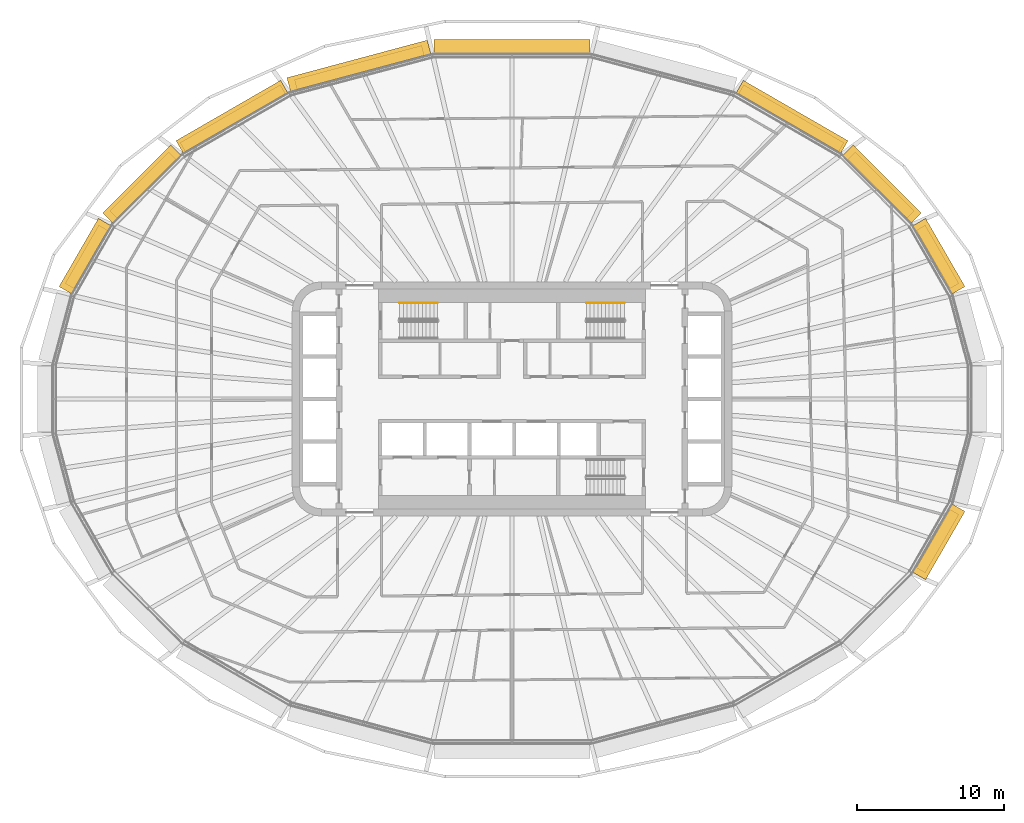
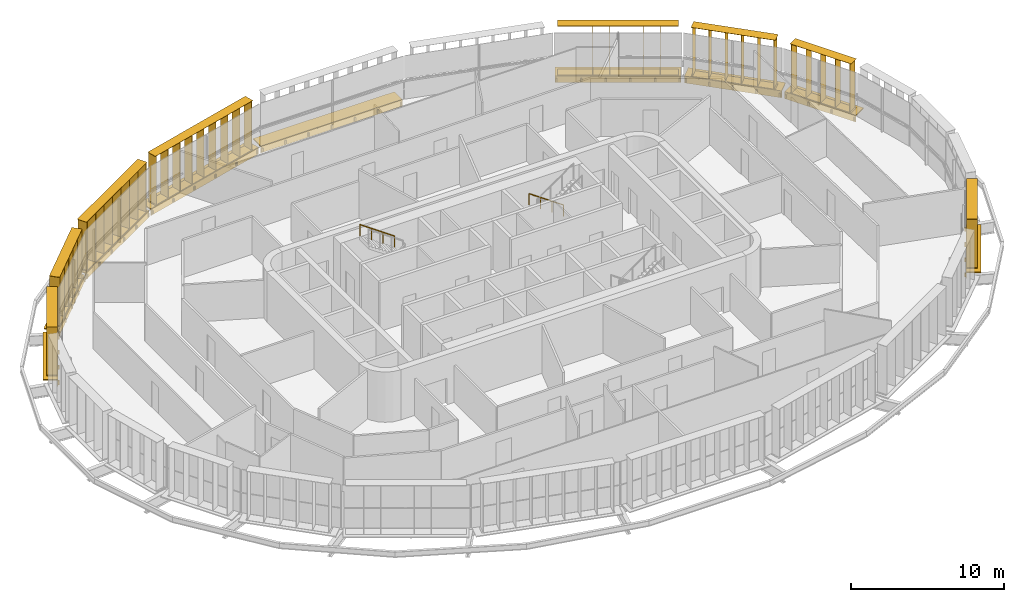
# One storey, part 22 of 23: 17 shading devices, 2 railings.
"""IFC4 building model written with IfcOpenShell, lengths in metres."""

from ifc_helpers import new_model, si_unit, direction, frame, origin, origin_2d, place, context, subcontext, project, spatial, rectangle, circle, extrude, material, type_object, element, save


model = new_model("IFC4")

# Units and contexts
model_context = context("Model", 3, precision=1e-05, world=origin(), true_north=direction((0.0, 1.0)))
body_context = subcontext(model_context, "Body", "Model", "MODEL_VIEW")
ifc_project = project(units=[si_unit("LENGTHUNIT", "METRE"), si_unit("AREAUNIT", "SQUARE_METRE"), si_unit("VOLUMEUNIT", "CUBIC_METRE"), si_unit("PLANEANGLEUNIT", "RADIAN"), si_unit("MASSUNIT", "GRAM", prefix="KILO")], contexts=[model_context])

# Site, building, storey
site_placement = place(None, origin())
site = spatial("IfcSite", under=ifc_project, at=site_placement, CompositionType="ELEMENT")
building_placement = place(site_placement, origin())
building = spatial("IfcBuilding", under=site, at=building_placement, Name="Sahrelin Media Tower", CompositionType="ELEMENT")
storey_placement = place(building_placement, frame((0.0, 0.0, 157.60009765625)))
storey = spatial("IfcBuildingStorey", under=building, at=storey_placement, Name="L32", CompositionType="ELEMENT", Elevation=157.60009765625)

# Shading devices
ifc_material_1 = material(Name="Champagne anodised aluminium 6063-T6", Category="aluminium")
shading_device_type_1 = type_object("IfcShadingDeviceType", Name="Fin cassette", PredefinedType="USERDEFINED", material=ifc_material_1)
placement_1 = place(storey_placement, frame((28.689208984375, 9.490966796875, 0.0), z_axis=(0.0, 0.0, 1.0), x_axis=(0.500011000363, -0.866019052629, 0.0)))
element("IfcShadingDevice", 1, at=placement_1, inside=storey, type_object=shading_device_type_1, Name="L32:FIN:L32-02", ObjectType="FIN", PredefinedType="USERDEFINED", context=body_context, shape_type="SweptSolid", body=[
    extrude(rectangle(XDim=4.60009765625, YDim=0.699951171875, at=origin_2d()), frame((0.0, 0.419921875, 0.0)), (0.0, 0.0, 1.0), 0.02001953125),
    extrude(rectangle(XDim=4.60009765625, YDim=0.699951171875, at=origin_2d()), frame((0.0, 0.419921875, 3.89990234375)), (0.0, 0.0, 1.0), 0.02001953125),
    extrude(rectangle(XDim=0.02001953125, YDim=0.699951171875, at=origin_2d()), frame((-2.199951171875, 0.419921875, 0.010009765625), z_axis=(0.0, 0.0, 1.0), x_axis=(1.0, 0.0, 0.0)), (0.0, 0.0, 1.0), 3.89990234375),
    extrude(rectangle(XDim=0.02001953125, YDim=0.699951171875, at=origin_2d()), frame((-1.10009765625, 0.419921875, 0.010009765625), z_axis=(0.0, 0.0, 1.0), x_axis=(1.0, 0.0, 0.0)), (0.0, 0.0, 1.0), 3.89990234375),
    extrude(rectangle(XDim=0.02001953125, YDim=0.699951171875, at=origin_2d()), frame((0.0, 0.419921875, 0.010009765625), z_axis=(0.0, 0.0, 1.0), x_axis=(1.0, 0.0, 0.0)), (0.0, 0.0, 1.0), 3.89990234375),
    extrude(rectangle(XDim=0.02001953125, YDim=0.699951171875, at=origin_2d()), frame((1.10009765625, 0.419921875, 0.010009765625), z_axis=(0.0, 0.0, 1.0), x_axis=(1.0, 0.0, 0.0)), (0.0, 0.0, 1.0), 3.89990234375),
    extrude(rectangle(XDim=0.02001953125, YDim=0.699951171875, at=origin_2d()), frame((2.199951171875, 0.419921875, 0.010009765625), z_axis=(0.0, 0.0, 1.0), x_axis=(1.0, 0.0, 0.0)), (0.0, 0.0, 1.0), 3.89990234375),
])
placement_2 = place(storey_placement, frame((24.900634765625, 14.30029296875, 0.0), z_axis=(0.0, 0.0, 1.0), x_axis=(0.707106781187, -0.707106781187, 0.0)))
element("IfcShadingDevice", 2, at=placement_2, inside=storey, type_object=shading_device_type_1, Name="L32:FIN:L32-03", ObjectType="FIN", PredefinedType="USERDEFINED", context=body_context, shape_type="SweptSolid", body=[
    extrude(rectangle(XDim=5.699951171875, YDim=0.699951171875, at=origin_2d()), frame((0.0, 0.419921875, 0.0)), (0.0, 0.0, 1.0), 0.02001953125),
    extrude(rectangle(XDim=5.699951171875, YDim=0.699951171875, at=origin_2d()), frame((0.0, 0.419921875, 3.89990234375)), (0.0, 0.0, 1.0), 0.02001953125),
    extrude(rectangle(XDim=0.02001953125, YDim=0.699951171875, at=origin_2d()), frame((-2.75, 0.419921875, 0.010009765625), z_axis=(0.0, 0.0, 1.0), x_axis=(1.0, 0.0, 0.0)), (0.0, 0.0, 1.0), 3.89990234375),
    extrude(rectangle(XDim=0.02001953125, YDim=0.699951171875, at=origin_2d()), frame((-1.64990234375, 0.419921875, 0.010009765625), z_axis=(0.0, 0.0, 1.0), x_axis=(1.0, 0.0, 0.0)), (0.0, 0.0, 1.0), 3.89990234375),
    extrude(rectangle(XDim=0.02001953125, YDim=0.699951171875, at=origin_2d()), frame((-0.550048828125, 0.419921875, 0.010009765625), z_axis=(0.0, 0.0, 1.0), x_axis=(1.0, 0.0, 0.0)), (0.0, 0.0, 1.0), 3.89990234375),
    extrude(rectangle(XDim=0.02001953125, YDim=0.699951171875, at=origin_2d()), frame((0.550048828125, 0.419921875, 0.010009765625), z_axis=(0.0, 0.0, 1.0), x_axis=(1.0, 0.0, 0.0)), (0.0, 0.0, 1.0), 3.89990234375),
    extrude(rectangle(XDim=0.02001953125, YDim=0.699951171875, at=origin_2d()), frame((1.64990234375, 0.419921875, 0.010009765625), z_axis=(0.0, 0.0, 1.0), x_axis=(1.0, 0.0, 0.0)), (0.0, 0.0, 1.0), 3.89990234375),
    extrude(rectangle(XDim=0.02001953125, YDim=0.699951171875, at=origin_2d()), frame((2.75, 0.419921875, 0.010009765625), z_axis=(0.0, 0.0, 1.0), x_axis=(1.0, 0.0, 0.0)), (0.0, 0.0, 1.0), 3.89990234375),
])
placement_3 = place(storey_placement, frame((18.85107421875, 18.804931640625, 0.0), z_axis=(0.0, 0.0, 1.0), x_axis=(0.866019052629, -0.500011000363, 0.0)))
element("IfcShadingDevice", 3, at=placement_3, inside=storey, type_object=shading_device_type_1, Name="L32:FIN:L32-04", ObjectType="FIN", PredefinedType="USERDEFINED", context=body_context, shape_type="SweptSolid", body=[
    extrude(rectangle(XDim=7.89990234375, YDim=0.699951171875, at=origin_2d()), frame((0.0, 0.419921875, 0.0)), (0.0, 0.0, 1.0), 0.02001953125),
    extrude(rectangle(XDim=7.89990234375, YDim=0.699951171875, at=origin_2d()), frame((0.0, 0.419921875, 3.89990234375)), (0.0, 0.0, 1.0), 0.02001953125),
    extrude(rectangle(XDim=0.02001953125, YDim=0.699951171875, at=origin_2d()), frame((-3.85009765625, 0.419921875, 0.010009765625), z_axis=(0.0, 0.0, 1.0), x_axis=(1.0, 0.0, 0.0)), (0.0, 0.0, 1.0), 3.89990234375),
    extrude(rectangle(XDim=0.02001953125, YDim=0.699951171875, at=origin_2d()), frame((-2.75, 0.419921875, 0.010009765625), z_axis=(0.0, 0.0, 1.0), x_axis=(1.0, 0.0, 0.0)), (0.0, 0.0, 1.0), 3.89990234375),
    extrude(rectangle(XDim=0.02001953125, YDim=0.699951171875, at=origin_2d()), frame((-1.64990234375, 0.419921875, 0.010009765625), z_axis=(0.0, 0.0, 1.0), x_axis=(1.0, 0.0, 0.0)), (0.0, 0.0, 1.0), 3.89990234375),
    extrude(rectangle(XDim=0.02001953125, YDim=0.699951171875, at=origin_2d()), frame((-0.550048828125, 0.419921875, 0.010009765625), z_axis=(0.0, 0.0, 1.0), x_axis=(1.0, 0.0, 0.0)), (0.0, 0.0, 1.0), 3.89990234375),
    extrude(rectangle(XDim=0.02001953125, YDim=0.699951171875, at=origin_2d()), frame((0.550048828125, 0.419921875, 0.010009765625), z_axis=(0.0, 0.0, 1.0), x_axis=(1.0, 0.0, 0.0)), (0.0, 0.0, 1.0), 3.89990234375),
    extrude(rectangle(XDim=0.02001953125, YDim=0.699951171875, at=origin_2d()), frame((1.64990234375, 0.419921875, 0.010009765625), z_axis=(0.0, 0.0, 1.0), x_axis=(1.0, 0.0, 0.0)), (0.0, 0.0, 1.0), 3.89990234375),
    extrude(rectangle(XDim=0.02001953125, YDim=0.699951171875, at=origin_2d()), frame((2.75, 0.419921875, 0.010009765625), z_axis=(0.0, 0.0, 1.0), x_axis=(1.0, 0.0, 0.0)), (0.0, 0.0, 1.0), 3.89990234375),
    extrude(rectangle(XDim=0.02001953125, YDim=0.699951171875, at=origin_2d()), frame((3.85009765625, 0.419921875, 0.010009765625), z_axis=(0.0, 0.0, 1.0), x_axis=(1.0, 0.0, 0.0)), (0.0, 0.0, 1.0), 3.89990234375),
])
placement_4 = place(storey_placement, frame((-10.312255859375, 22.2236328125, 0.0), z_axis=(0.0, 0.0, 1.0), x_axis=(0.965928857556, 0.258807731996, 0.0)))
element("IfcShadingDevice", 4, at=placement_4, inside=storey, type_object=shading_device_type_1, Name="L32:FIN:L32-07", ObjectType="FIN", PredefinedType="USERDEFINED", context=body_context, shape_type="SweptSolid", body=[
    extrude(rectangle(XDim=9.0, YDim=0.699951171875, at=origin_2d()), frame((0.0, 0.419921875, 0.0)), (0.0, 0.0, 1.0), 0.02001953125),
    extrude(rectangle(XDim=9.0, YDim=0.699951171875, at=origin_2d()), frame((0.0, 0.419921875, 3.89990234375)), (0.0, 0.0, 1.0), 0.02001953125),
    extrude(rectangle(XDim=0.02001953125, YDim=0.699951171875, at=origin_2d()), frame((-4.39990234375, 0.419921875, 0.010009765625), z_axis=(0.0, 0.0, 1.0), x_axis=(1.0, 0.0, 0.0)), (0.0, 0.0, 1.0), 3.89990234375),
    extrude(rectangle(XDim=0.02001953125, YDim=0.699951171875, at=origin_2d()), frame((-3.300048828125, 0.419921875, 0.010009765625), z_axis=(0.0, 0.0, 1.0), x_axis=(1.0, 0.0, 0.0)), (0.0, 0.0, 1.0), 3.89990234375),
    extrude(rectangle(XDim=0.02001953125, YDim=0.699951171875, at=origin_2d()), frame((-2.199951171875, 0.419921875, 0.010009765625), z_axis=(0.0, 0.0, 1.0), x_axis=(1.0, 0.0, 0.0)), (0.0, 0.0, 1.0), 3.89990234375),
    extrude(rectangle(XDim=0.02001953125, YDim=0.699951171875, at=origin_2d()), frame((-1.10009765625, 0.419921875, 0.010009765625), z_axis=(0.0, 0.0, 1.0), x_axis=(1.0, 0.0, 0.0)), (0.0, 0.0, 1.0), 3.89990234375),
    extrude(rectangle(XDim=0.02001953125, YDim=0.699951171875, at=origin_2d()), frame((0.0, 0.419921875, 0.010009765625), z_axis=(0.0, 0.0, 1.0), x_axis=(1.0, 0.0, 0.0)), (0.0, 0.0, 1.0), 3.89990234375),
    extrude(rectangle(XDim=0.02001953125, YDim=0.699951171875, at=origin_2d()), frame((1.10009765625, 0.419921875, 0.010009765625), z_axis=(0.0, 0.0, 1.0), x_axis=(1.0, 0.0, 0.0)), (0.0, 0.0, 1.0), 3.89990234375),
    extrude(rectangle(XDim=0.02001953125, YDim=0.699951171875, at=origin_2d()), frame((2.199951171875, 0.419921875, 0.010009765625), z_axis=(0.0, 0.0, 1.0), x_axis=(1.0, 0.0, 0.0)), (0.0, 0.0, 1.0), 3.89990234375),
    extrude(rectangle(XDim=0.02001953125, YDim=0.699951171875, at=origin_2d()), frame((3.300048828125, 0.419921875, 0.010009765625), z_axis=(0.0, 0.0, 1.0), x_axis=(1.0, 0.0, 0.0)), (0.0, 0.0, 1.0), 3.89990234375),
    extrude(rectangle(XDim=0.02001953125, YDim=0.699951171875, at=origin_2d()), frame((4.39990234375, 0.419921875, 0.010009765625), z_axis=(0.0, 0.0, 1.0), x_axis=(1.0, 0.0, 0.0)), (0.0, 0.0, 1.0), 3.89990234375),
])
placement_5 = place(storey_placement, frame((-18.85107421875, 18.804931640625, 0.0), z_axis=(0.0, 0.0, 1.0), x_axis=(0.866019052629, 0.500011000363, 0.0)))
element("IfcShadingDevice", 5, at=placement_5, inside=storey, type_object=shading_device_type_1, Name="L32:FIN:L32-08", ObjectType="FIN", PredefinedType="USERDEFINED", context=body_context, shape_type="SweptSolid", body=[
    extrude(rectangle(XDim=7.89990234375, YDim=0.699951171875, at=origin_2d()), frame((0.0, 0.419921875, 0.0)), (0.0, 0.0, 1.0), 0.02001953125),
    extrude(rectangle(XDim=7.89990234375, YDim=0.699951171875, at=origin_2d()), frame((0.0, 0.419921875, 3.89990234375)), (0.0, 0.0, 1.0), 0.02001953125),
    extrude(rectangle(XDim=0.02001953125, YDim=0.699951171875, at=origin_2d()), frame((-3.85009765625, 0.419921875, 0.010009765625), z_axis=(0.0, 0.0, 1.0), x_axis=(1.0, 0.0, 0.0)), (0.0, 0.0, 1.0), 3.89990234375),
    extrude(rectangle(XDim=0.02001953125, YDim=0.699951171875, at=origin_2d()), frame((-2.75, 0.419921875, 0.010009765625), z_axis=(0.0, 0.0, 1.0), x_axis=(1.0, 0.0, 0.0)), (0.0, 0.0, 1.0), 3.89990234375),
    extrude(rectangle(XDim=0.02001953125, YDim=0.699951171875, at=origin_2d()), frame((-1.64990234375, 0.419921875, 0.010009765625), z_axis=(0.0, 0.0, 1.0), x_axis=(1.0, 0.0, 0.0)), (0.0, 0.0, 1.0), 3.89990234375),
    extrude(rectangle(XDim=0.02001953125, YDim=0.699951171875, at=origin_2d()), frame((-0.550048828125, 0.419921875, 0.010009765625), z_axis=(0.0, 0.0, 1.0), x_axis=(1.0, 0.0, 0.0)), (0.0, 0.0, 1.0), 3.89990234375),
    extrude(rectangle(XDim=0.02001953125, YDim=0.699951171875, at=origin_2d()), frame((0.550048828125, 0.419921875, 0.010009765625), z_axis=(0.0, 0.0, 1.0), x_axis=(1.0, 0.0, 0.0)), (0.0, 0.0, 1.0), 3.89990234375),
    extrude(rectangle(XDim=0.02001953125, YDim=0.699951171875, at=origin_2d()), frame((1.64990234375, 0.419921875, 0.010009765625), z_axis=(0.0, 0.0, 1.0), x_axis=(1.0, 0.0, 0.0)), (0.0, 0.0, 1.0), 3.89990234375),
    extrude(rectangle(XDim=0.02001953125, YDim=0.699951171875, at=origin_2d()), frame((2.75, 0.419921875, 0.010009765625), z_axis=(0.0, 0.0, 1.0), x_axis=(1.0, 0.0, 0.0)), (0.0, 0.0, 1.0), 3.89990234375),
    extrude(rectangle(XDim=0.02001953125, YDim=0.699951171875, at=origin_2d()), frame((3.85009765625, 0.419921875, 0.010009765625), z_axis=(0.0, 0.0, 1.0), x_axis=(1.0, 0.0, 0.0)), (0.0, 0.0, 1.0), 3.89990234375),
])
placement_6 = place(storey_placement, frame((-24.900390625, 14.300048828125, 0.0), z_axis=(0.0, 0.0, 1.0), x_axis=(0.707106781187, 0.707106781187, 0.0)))
element("IfcShadingDevice", 6, at=placement_6, inside=storey, type_object=shading_device_type_1, Name="L32:FIN:L32-09", ObjectType="FIN", PredefinedType="USERDEFINED", context=body_context, shape_type="SweptSolid", body=[
    extrude(rectangle(XDim=5.699951171875, YDim=0.699951171875, at=origin_2d()), frame((0.0, 0.419921875, 0.0)), (0.0, 0.0, 1.0), 0.02001953125),
    extrude(rectangle(XDim=5.699951171875, YDim=0.699951171875, at=origin_2d()), frame((0.0, 0.419921875, 3.89990234375)), (0.0, 0.0, 1.0), 0.02001953125),
    extrude(rectangle(XDim=0.02001953125, YDim=0.699951171875, at=origin_2d()), frame((-2.75, 0.419921875, 0.010009765625), z_axis=(0.0, 0.0, 1.0), x_axis=(1.0, 0.0, 0.0)), (0.0, 0.0, 1.0), 3.89990234375),
    extrude(rectangle(XDim=0.02001953125, YDim=0.699951171875, at=origin_2d()), frame((-1.64990234375, 0.419921875, 0.010009765625), z_axis=(0.0, 0.0, 1.0), x_axis=(1.0, 0.0, 0.0)), (0.0, 0.0, 1.0), 3.89990234375),
    extrude(rectangle(XDim=0.02001953125, YDim=0.699951171875, at=origin_2d()), frame((-0.550048828125, 0.419921875, 0.010009765625), z_axis=(0.0, 0.0, 1.0), x_axis=(1.0, 0.0, 0.0)), (0.0, 0.0, 1.0), 3.89990234375),
    extrude(rectangle(XDim=0.02001953125, YDim=0.699951171875, at=origin_2d()), frame((0.550048828125, 0.419921875, 0.010009765625), z_axis=(0.0, 0.0, 1.0), x_axis=(1.0, 0.0, 0.0)), (0.0, 0.0, 1.0), 3.89990234375),
    extrude(rectangle(XDim=0.02001953125, YDim=0.699951171875, at=origin_2d()), frame((1.64990234375, 0.419921875, 0.010009765625), z_axis=(0.0, 0.0, 1.0), x_axis=(1.0, 0.0, 0.0)), (0.0, 0.0, 1.0), 3.89990234375),
    extrude(rectangle(XDim=0.02001953125, YDim=0.699951171875, at=origin_2d()), frame((2.75, 0.419921875, 0.010009765625), z_axis=(0.0, 0.0, 1.0), x_axis=(1.0, 0.0, 0.0)), (0.0, 0.0, 1.0), 3.89990234375),
])
placement_7 = place(storey_placement, frame((-28.689208984375, 9.490966796875, 0.0), z_axis=(0.0, 0.0, 1.0), x_axis=(0.500011000363, 0.866019052629, 0.0)))
element("IfcShadingDevice", 7, at=placement_7, inside=storey, type_object=shading_device_type_1, Name="L32:FIN:L32-10", ObjectType="FIN", PredefinedType="USERDEFINED", context=body_context, shape_type="SweptSolid", body=[
    extrude(rectangle(XDim=4.60009765625, YDim=0.699951171875, at=origin_2d()), frame((0.0, 0.419921875, 0.0)), (0.0, 0.0, 1.0), 0.02001953125),
    extrude(rectangle(XDim=4.60009765625, YDim=0.699951171875, at=origin_2d()), frame((0.0, 0.419921875, 3.89990234375)), (0.0, 0.0, 1.0), 0.02001953125),
    extrude(rectangle(XDim=0.02001953125, YDim=0.699951171875, at=origin_2d()), frame((-2.199951171875, 0.419921875, 0.010009765625), z_axis=(0.0, 0.0, 1.0), x_axis=(1.0, 0.0, 0.0)), (0.0, 0.0, 1.0), 3.89990234375),
    extrude(rectangle(XDim=0.02001953125, YDim=0.699951171875, at=origin_2d()), frame((-1.10009765625, 0.419921875, 0.010009765625), z_axis=(0.0, 0.0, 1.0), x_axis=(1.0, 0.0, 0.0)), (0.0, 0.0, 1.0), 3.89990234375),
    extrude(rectangle(XDim=0.02001953125, YDim=0.699951171875, at=origin_2d()), frame((0.0, 0.419921875, 0.010009765625), z_axis=(0.0, 0.0, 1.0), x_axis=(1.0, 0.0, 0.0)), (0.0, 0.0, 1.0), 3.89990234375),
    extrude(rectangle(XDim=0.02001953125, YDim=0.699951171875, at=origin_2d()), frame((1.10009765625, 0.419921875, 0.010009765625), z_axis=(0.0, 0.0, 1.0), x_axis=(1.0, 0.0, 0.0)), (0.0, 0.0, 1.0), 3.89990234375),
    extrude(rectangle(XDim=0.02001953125, YDim=0.699951171875, at=origin_2d()), frame((2.199951171875, 0.419921875, 0.010009765625), z_axis=(0.0, 0.0, 1.0), x_axis=(1.0, 0.0, 0.0)), (0.0, 0.0, 1.0), 3.89990234375),
])
placement_8 = place(storey_placement, frame((28.689208984375, -9.490966796875, 0.0), z_axis=(0.0, 0.0, 1.0), x_axis=(-0.500011000363, -0.866019052629, 0.0)))
element("IfcShadingDevice", 8, at=placement_8, inside=storey, type_object=shading_device_type_1, Name="L32:FIN:L32-22", ObjectType="FIN", PredefinedType="USERDEFINED", context=body_context, shape_type="SweptSolid", body=[
    extrude(rectangle(XDim=4.60009765625, YDim=0.699951171875, at=origin_2d()), frame((0.0, 0.419921875, 0.0)), (0.0, 0.0, 1.0), 0.02001953125),
    extrude(rectangle(XDim=4.60009765625, YDim=0.699951171875, at=origin_2d()), frame((0.0, 0.419921875, 3.89990234375)), (0.0, 0.0, 1.0), 0.02001953125),
    extrude(rectangle(XDim=0.02001953125, YDim=0.699951171875, at=origin_2d()), frame((-2.199951171875, 0.419921875, 0.010009765625), z_axis=(0.0, 0.0, 1.0), x_axis=(1.0, 0.0, 0.0)), (0.0, 0.0, 1.0), 3.89990234375),
    extrude(rectangle(XDim=0.02001953125, YDim=0.699951171875, at=origin_2d()), frame((-1.10009765625, 0.419921875, 0.010009765625), z_axis=(0.0, 0.0, 1.0), x_axis=(1.0, 0.0, 0.0)), (0.0, 0.0, 1.0), 3.89990234375),
    extrude(rectangle(XDim=0.02001953125, YDim=0.699951171875, at=origin_2d()), frame((0.0, 0.419921875, 0.010009765625), z_axis=(0.0, 0.0, 1.0), x_axis=(1.0, 0.0, 0.0)), (0.0, 0.0, 1.0), 3.89990234375),
    extrude(rectangle(XDim=0.02001953125, YDim=0.699951171875, at=origin_2d()), frame((1.10009765625, 0.419921875, 0.010009765625), z_axis=(0.0, 0.0, 1.0), x_axis=(1.0, 0.0, 0.0)), (0.0, 0.0, 1.0), 3.89990234375),
    extrude(rectangle(XDim=0.02001953125, YDim=0.699951171875, at=origin_2d()), frame((2.199951171875, 0.419921875, 0.010009765625), z_axis=(0.0, 0.0, 1.0), x_axis=(1.0, 0.0, 0.0)), (0.0, 0.0, 1.0), 3.89990234375),
])

# Railings
ifc_material_2 = material(Name="Steel S355", Category="steel")
railing_type = type_object("IfcRailingType", Name="Stair handrail 900", PredefinedType="HANDRAIL", material=ifc_material_2)
for number, where, name in (
    (9, (-5.074951171875, 6.550048828125, 2.181640625), "L32 ST1 stair handrail 2"),
    (10, (7.675048828125, 6.550048828125, 0.181640625), "L32 ST3 stair handrail 1"),
):
    element("IfcRailing", number, at=place(storey_placement, frame(where)), inside=storey, type_object=railing_type, Name=name, PredefinedType="HANDRAIL", context=body_context, shape_type="SweptSolid", body=[
        extrude(circle(Radius=0.02392578125, at=origin_2d()), frame((0.0, 0.0, 0.8759765625), z_axis=(-0.819484887739, 0.0, 0.573100792852), x_axis=(0.0, -1.0, 0.0)), (0.0, 0.0, 1.0), 3.1728515625),
        extrude(circle(Radius=0.02099609375, at=origin_2d()), origin(), (0.0, 0.0, 1.0), 0.851806640625),
        extrude(circle(Radius=0.02099609375, at=origin_2d()), frame((-0.86669921875, 0.0, 0.606201171875)), (0.0, 0.0, 1.0), 0.851806640625),
        extrude(circle(Radius=0.02099609375, at=origin_2d()), frame((-1.7333984375, 0.0, 1.212158203125)), (0.0, 0.0, 1.0), 0.851806640625),
        extrude(circle(Radius=0.02099609375, at=origin_2d()), frame((-2.60009765625, 0.0, 1.818359375)), (0.0, 0.0, 1.0), 0.851806640625),
    ])

# Shading devices
shading_device_type_2 = type_object("IfcShadingDeviceType", Name="Sunshade band", PredefinedType="USERDEFINED", material=ifc_material_1)
element("IfcShadingDevice", 11, at=placement_1, inside=storey, type_object=shading_device_type_2, Name="L32:SUN:L32-02", ObjectType="SUNSHADE", PredefinedType="USERDEFINED", context=body_context, shape_type="SweptSolid", body=[
    extrude(rectangle(XDim=5.375732421875, YDim=0.050048828125, at=origin_2d()), frame((0.0, 0.044921875, -0.55126953125)), (0.0, 0.0, 1.0), 0.471435546875),
    extrude(rectangle(XDim=5.375732421875, YDim=1.0, at=origin_2d()), frame((0.0, 0.52001953125, -0.080078125)), (0.0, 0.0, 1.0), 0.080078125),
    extrude(rectangle(XDim=0.10009765625, YDim=0.074951171875, at=origin_2d()), frame((-2.587890625, -0.017578125, -0.47021484375)), (0.0, 0.0, 1.0), 0.300048828125),
    extrude(rectangle(XDim=0.10009765625, YDim=0.074951171875, at=origin_2d()), frame((-0.862548828125, -0.017578125, -0.47021484375)), (0.0, 0.0, 1.0), 0.300048828125),
    extrude(rectangle(XDim=0.10009765625, YDim=0.074951171875, at=origin_2d()), frame((0.862548828125, -0.017578125, -0.47021484375)), (0.0, 0.0, 1.0), 0.300048828125),
    extrude(rectangle(XDim=0.10009765625, YDim=0.074951171875, at=origin_2d()), frame((2.587890625, -0.017578125, -0.47021484375)), (0.0, 0.0, 1.0), 0.300048828125),
])
element("IfcShadingDevice", 12, at=placement_2, inside=storey, type_object=shading_device_type_2, Name="L32:SUN:L32-03", ObjectType="SUNSHADE", PredefinedType="USERDEFINED", context=body_context, shape_type="SweptSolid", body=[
    extrude(rectangle(XDim=6.573486328125, YDim=0.050048828125, at=origin_2d()), frame((0.0, 0.044921875, -0.55126953125)), (0.0, 0.0, 1.0), 0.471435546875),
    extrude(rectangle(XDim=6.573486328125, YDim=1.0, at=origin_2d()), frame((0.0, 0.52001953125, -0.080078125)), (0.0, 0.0, 1.0), 0.080078125),
    extrude(rectangle(XDim=0.10009765625, YDim=0.074951171875, at=origin_2d()), frame((-3.186767578125, -0.017578125, -0.47021484375)), (0.0, 0.0, 1.0), 0.300048828125),
    extrude(rectangle(XDim=0.10009765625, YDim=0.074951171875, at=origin_2d()), frame((-1.59326171875, -0.017578125, -0.47021484375)), (0.0, 0.0, 1.0), 0.300048828125),
    extrude(rectangle(XDim=0.10009765625, YDim=0.074951171875, at=origin_2d()), frame((0.0, -0.017578125, -0.47021484375)), (0.0, 0.0, 1.0), 0.300048828125),
    extrude(rectangle(XDim=0.10009765625, YDim=0.074951171875, at=origin_2d()), frame((1.59326171875, -0.017578125, -0.47021484375)), (0.0, 0.0, 1.0), 0.300048828125),
    extrude(rectangle(XDim=0.10009765625, YDim=0.074951171875, at=origin_2d()), frame((3.186767578125, -0.017578125, -0.47021484375)), (0.0, 0.0, 1.0), 0.300048828125),
])
element("IfcShadingDevice", 13, at=placement_3, inside=storey, type_object=shading_device_type_2, Name="L32:SUN:L32-04", ObjectType="SUNSHADE", PredefinedType="USERDEFINED", context=body_context, shape_type="SweptSolid", body=[
    extrude(rectangle(XDim=8.240478515625, YDim=0.050048828125, at=origin_2d()), frame((0.0, 0.044921875, -0.55126953125)), (0.0, 0.0, 1.0), 0.471435546875),
    extrude(rectangle(XDim=8.240478515625, YDim=1.0, at=origin_2d()), frame((0.0, 0.52001953125, -0.080078125)), (0.0, 0.0, 1.0), 0.080078125),
    extrude(rectangle(XDim=0.10009765625, YDim=0.074951171875, at=origin_2d()), frame((-4.020263671875, -0.017578125, -0.47021484375)), (0.0, 0.0, 1.0), 0.300048828125),
    extrude(rectangle(XDim=0.10009765625, YDim=0.074951171875, at=origin_2d()), frame((-2.412109375, -0.017578125, -0.47021484375)), (0.0, 0.0, 1.0), 0.300048828125),
    extrude(rectangle(XDim=0.10009765625, YDim=0.074951171875, at=origin_2d()), frame((-0.803955078125, -0.017578125, -0.47021484375)), (0.0, 0.0, 1.0), 0.300048828125),
    extrude(rectangle(XDim=0.10009765625, YDim=0.074951171875, at=origin_2d()), frame((0.803955078125, -0.017578125, -0.47021484375)), (0.0, 0.0, 1.0), 0.300048828125),
    extrude(rectangle(XDim=0.10009765625, YDim=0.074951171875, at=origin_2d()), frame((2.412109375, -0.017578125, -0.47021484375)), (0.0, 0.0, 1.0), 0.300048828125),
    extrude(rectangle(XDim=0.10009765625, YDim=0.074951171875, at=origin_2d()), frame((4.020263671875, -0.017578125, -0.47021484375)), (0.0, 0.0, 1.0), 0.300048828125),
])
shading_device_12_placement = place(storey_placement, frame((0.0, 23.532470703125, 0.0), z_axis=(0.0, 0.0, 1.0), x_axis=(1.0, 0.0, 0.0)))
element("IfcShadingDevice", 14, at=shading_device_12_placement, inside=storey, type_object=shading_device_type_2, Name="L32:SUN:L32-06", ObjectType="SUNSHADE", PredefinedType="USERDEFINED", context=body_context, shape_type="SweptSolid", body=[
    extrude(rectangle(XDim=10.656494140625, YDim=0.050048828125, at=origin_2d()), frame((0.0, 0.044921875, -0.55126953125)), (0.0, 0.0, 1.0), 0.471435546875),
    extrude(rectangle(XDim=10.656494140625, YDim=1.0, at=origin_2d()), frame((0.0, 0.52001953125, -0.080078125)), (0.0, 0.0, 1.0), 0.080078125),
    extrude(rectangle(XDim=0.10009765625, YDim=0.074951171875, at=origin_2d()), frame((-5.228271484375, -0.017578125, -0.47021484375)), (0.0, 0.0, 1.0), 0.300048828125),
    extrude(rectangle(XDim=0.10009765625, YDim=0.074951171875, at=origin_2d()), frame((-3.485595703125, -0.017578125, -0.47021484375)), (0.0, 0.0, 1.0), 0.300048828125),
    extrude(rectangle(XDim=0.10009765625, YDim=0.074951171875, at=origin_2d()), frame((-1.74267578125, -0.017578125, -0.47021484375)), (0.0, 0.0, 1.0), 0.300048828125),
    extrude(rectangle(XDim=0.10009765625, YDim=0.074951171875, at=origin_2d()), frame((0.0, -0.017578125, -0.47021484375)), (0.0, 0.0, 1.0), 0.300048828125),
    extrude(rectangle(XDim=0.10009765625, YDim=0.074951171875, at=origin_2d()), frame((1.74267578125, -0.017578125, -0.47021484375)), (0.0, 0.0, 1.0), 0.300048828125),
    extrude(rectangle(XDim=0.10009765625, YDim=0.074951171875, at=origin_2d()), frame((3.485595703125, -0.017578125, -0.47021484375)), (0.0, 0.0, 1.0), 0.300048828125),
    extrude(rectangle(XDim=0.10009765625, YDim=0.074951171875, at=origin_2d()), frame((5.228271484375, -0.017578125, -0.47021484375)), (0.0, 0.0, 1.0), 0.300048828125),
])
element("IfcShadingDevice", 15, at=placement_4, inside=storey, type_object=shading_device_type_2, Name="L32:SUN:L32-07", ObjectType="SUNSHADE", PredefinedType="USERDEFINED", context=body_context, shape_type="SweptSolid", body=[
    extrude(rectangle(XDim=9.91259765625, YDim=0.050048828125, at=origin_2d()), frame((0.0, 0.044921875, -0.55126953125)), (0.0, 0.0, 1.0), 0.471435546875),
    extrude(rectangle(XDim=9.91259765625, YDim=1.0, at=origin_2d()), frame((0.0, 0.52001953125, -0.080078125)), (0.0, 0.0, 1.0), 0.080078125),
    extrude(rectangle(XDim=0.10009765625, YDim=0.074951171875, at=origin_2d()), frame((-4.856201171875, -0.017578125, -0.47021484375)), (0.0, 0.0, 1.0), 0.300048828125),
    extrude(rectangle(XDim=0.10009765625, YDim=0.074951171875, at=origin_2d()), frame((-2.913818359375, -0.017578125, -0.47021484375)), (0.0, 0.0, 1.0), 0.300048828125),
    extrude(rectangle(XDim=0.10009765625, YDim=0.074951171875, at=origin_2d()), frame((-0.97119140625, -0.017578125, -0.47021484375)), (0.0, 0.0, 1.0), 0.300048828125),
    extrude(rectangle(XDim=0.10009765625, YDim=0.074951171875, at=origin_2d()), frame((0.97119140625, -0.017578125, -0.47021484375)), (0.0, 0.0, 1.0), 0.300048828125),
    extrude(rectangle(XDim=0.10009765625, YDim=0.074951171875, at=origin_2d()), frame((2.913818359375, -0.017578125, -0.47021484375)), (0.0, 0.0, 1.0), 0.300048828125),
    extrude(rectangle(XDim=0.10009765625, YDim=0.074951171875, at=origin_2d()), frame((4.856201171875, -0.017578125, -0.47021484375)), (0.0, 0.0, 1.0), 0.300048828125),
])
element("IfcShadingDevice", 16, at=placement_5, inside=storey, type_object=shading_device_type_2, Name="L32:SUN:L32-08", ObjectType="SUNSHADE", PredefinedType="USERDEFINED", context=body_context, shape_type="SweptSolid", body=[
    extrude(rectangle(XDim=8.240478515625, YDim=0.050048828125, at=origin_2d()), frame((0.0, 0.044921875, -0.55126953125)), (0.0, 0.0, 1.0), 0.471435546875),
    extrude(rectangle(XDim=8.240478515625, YDim=1.0, at=origin_2d()), frame((0.0, 0.52001953125, -0.080078125)), (0.0, 0.0, 1.0), 0.080078125),
    extrude(rectangle(XDim=0.10009765625, YDim=0.074951171875, at=origin_2d()), frame((-4.020263671875, -0.017578125, -0.47021484375)), (0.0, 0.0, 1.0), 0.300048828125),
    extrude(rectangle(XDim=0.10009765625, YDim=0.074951171875, at=origin_2d()), frame((-2.412109375, -0.017578125, -0.47021484375)), (0.0, 0.0, 1.0), 0.300048828125),
    extrude(rectangle(XDim=0.10009765625, YDim=0.074951171875, at=origin_2d()), frame((-0.803955078125, -0.017578125, -0.47021484375)), (0.0, 0.0, 1.0), 0.300048828125),
    extrude(rectangle(XDim=0.10009765625, YDim=0.074951171875, at=origin_2d()), frame((0.803955078125, -0.017578125, -0.47021484375)), (0.0, 0.0, 1.0), 0.300048828125),
    extrude(rectangle(XDim=0.10009765625, YDim=0.074951171875, at=origin_2d()), frame((2.412109375, -0.017578125, -0.47021484375)), (0.0, 0.0, 1.0), 0.300048828125),
    extrude(rectangle(XDim=0.10009765625, YDim=0.074951171875, at=origin_2d()), frame((4.020263671875, -0.017578125, -0.47021484375)), (0.0, 0.0, 1.0), 0.300048828125),
])
element("IfcShadingDevice", 17, at=placement_6, inside=storey, type_object=shading_device_type_2, Name="L32:SUN:L32-09", ObjectType="SUNSHADE", PredefinedType="USERDEFINED", context=body_context, shape_type="SweptSolid", body=[
    extrude(rectangle(XDim=6.573486328125, YDim=0.050048828125, at=origin_2d()), frame((0.0, 0.044921875, -0.55126953125)), (0.0, 0.0, 1.0), 0.471435546875),
    extrude(rectangle(XDim=6.573486328125, YDim=1.0, at=origin_2d()), frame((0.0, 0.52001953125, -0.080078125)), (0.0, 0.0, 1.0), 0.080078125),
    extrude(rectangle(XDim=0.10009765625, YDim=0.074951171875, at=origin_2d()), frame((-3.186767578125, -0.017578125, -0.47021484375)), (0.0, 0.0, 1.0), 0.300048828125),
    extrude(rectangle(XDim=0.10009765625, YDim=0.074951171875, at=origin_2d()), frame((-1.59326171875, -0.017578125, -0.47021484375)), (0.0, 0.0, 1.0), 0.300048828125),
    extrude(rectangle(XDim=0.10009765625, YDim=0.074951171875, at=origin_2d()), frame((0.0, -0.017578125, -0.47021484375)), (0.0, 0.0, 1.0), 0.300048828125),
    extrude(rectangle(XDim=0.10009765625, YDim=0.074951171875, at=origin_2d()), frame((1.59326171875, -0.017578125, -0.47021484375)), (0.0, 0.0, 1.0), 0.300048828125),
    extrude(rectangle(XDim=0.10009765625, YDim=0.074951171875, at=origin_2d()), frame((3.186767578125, -0.017578125, -0.47021484375)), (0.0, 0.0, 1.0), 0.300048828125),
])
element("IfcShadingDevice", 18, at=placement_7, inside=storey, type_object=shading_device_type_2, Name="L32:SUN:L32-10", ObjectType="SUNSHADE", PredefinedType="USERDEFINED", context=body_context, shape_type="SweptSolid", body=[
    extrude(rectangle(XDim=5.375732421875, YDim=0.050048828125, at=origin_2d()), frame((0.0, 0.044921875, -0.55126953125)), (0.0, 0.0, 1.0), 0.471435546875),
    extrude(rectangle(XDim=5.375732421875, YDim=1.0, at=origin_2d()), frame((0.0, 0.52001953125, -0.080078125)), (0.0, 0.0, 1.0), 0.080078125),
    extrude(rectangle(XDim=0.10009765625, YDim=0.074951171875, at=origin_2d()), frame((-2.587890625, -0.017578125, -0.47021484375)), (0.0, 0.0, 1.0), 0.300048828125),
    extrude(rectangle(XDim=0.10009765625, YDim=0.074951171875, at=origin_2d()), frame((-0.862548828125, -0.017578125, -0.47021484375)), (0.0, 0.0, 1.0), 0.300048828125),
    extrude(rectangle(XDim=0.10009765625, YDim=0.074951171875, at=origin_2d()), frame((0.862548828125, -0.017578125, -0.47021484375)), (0.0, 0.0, 1.0), 0.300048828125),
    extrude(rectangle(XDim=0.10009765625, YDim=0.074951171875, at=origin_2d()), frame((2.587890625, -0.017578125, -0.47021484375)), (0.0, 0.0, 1.0), 0.300048828125),
])
element("IfcShadingDevice", 19, at=placement_8, inside=storey, type_object=shading_device_type_2, Name="L32:SUN:L32-22", ObjectType="SUNSHADE", PredefinedType="USERDEFINED", context=body_context, shape_type="SweptSolid", body=[
    extrude(rectangle(XDim=5.375732421875, YDim=0.050048828125, at=origin_2d()), frame((0.0, 0.044921875, -0.55126953125)), (0.0, 0.0, 1.0), 0.471435546875),
    extrude(rectangle(XDim=5.375732421875, YDim=1.0, at=origin_2d()), frame((0.0, 0.52001953125, -0.080078125)), (0.0, 0.0, 1.0), 0.080078125),
    extrude(rectangle(XDim=0.10009765625, YDim=0.074951171875, at=origin_2d()), frame((-2.587890625, -0.017578125, -0.47021484375)), (0.0, 0.0, 1.0), 0.300048828125),
    extrude(rectangle(XDim=0.10009765625, YDim=0.074951171875, at=origin_2d()), frame((-0.862548828125, -0.017578125, -0.47021484375)), (0.0, 0.0, 1.0), 0.300048828125),
    extrude(rectangle(XDim=0.10009765625, YDim=0.074951171875, at=origin_2d()), frame((0.862548828125, -0.017578125, -0.47021484375)), (0.0, 0.0, 1.0), 0.300048828125),
    extrude(rectangle(XDim=0.10009765625, YDim=0.074951171875, at=origin_2d()), frame((2.587890625, -0.017578125, -0.47021484375)), (0.0, 0.0, 1.0), 0.300048828125),
])

save(model, "model.ifc")
